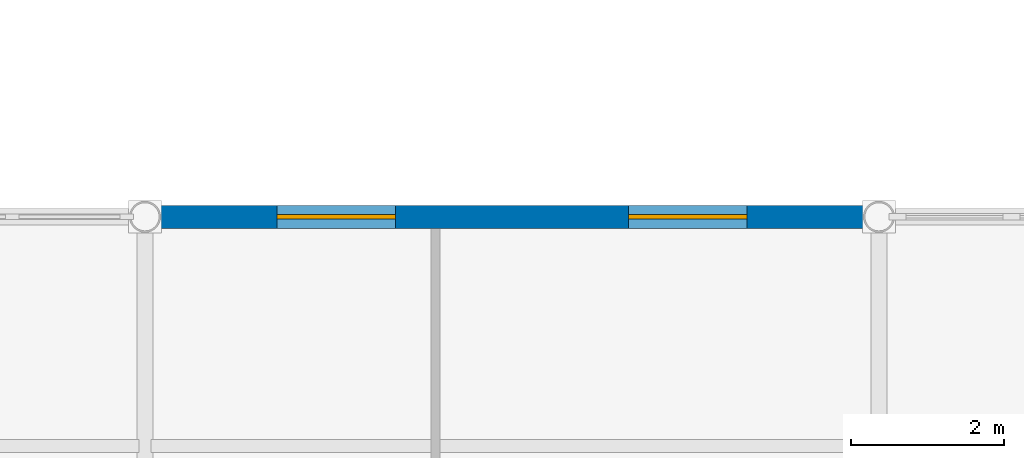
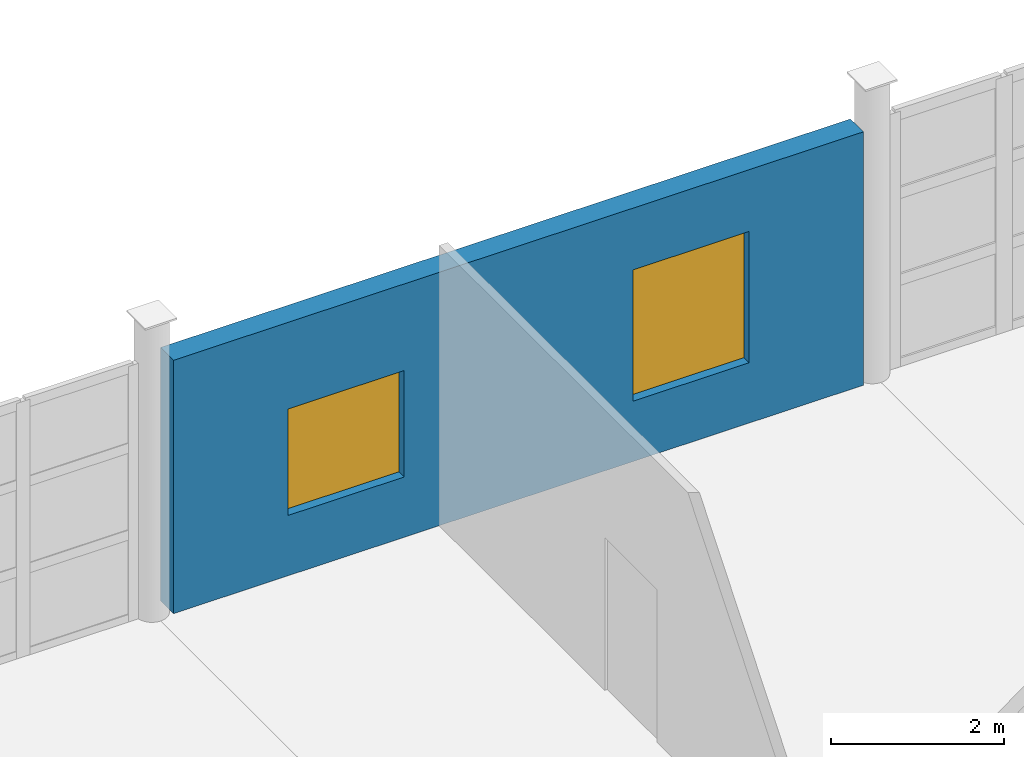
# One storey, part 71 of 82: 2 windows, 1 wall, 2 openings.
"""IFC4 building model written with IfcOpenShell, lengths in metres."""

from ifc_helpers import new_model, si_unit, direction, frame, frame_2d, origin, place, context, subcontext, project, spatial, rectangle, extrude, material, layer, layer_set, type_object, element, fill, save


model = new_model("IFC4")

# Units and contexts
model_context = context("Model", 3, precision=1e-05, world=origin(), true_north=direction((0.0, 1.0)))
body_context = subcontext(model_context, "Body", "Model", "MODEL_VIEW")
ifc_project = project(units=[si_unit("LENGTHUNIT", "METRE"), si_unit("AREAUNIT", "SQUARE_METRE"), si_unit("VOLUMEUNIT", "CUBIC_METRE"), si_unit("PLANEANGLEUNIT", "RADIAN"), si_unit("MASSUNIT", "GRAM", prefix="KILO")], contexts=[model_context])

# Site, building, storey
site_placement = place(None, origin())
site = spatial("IfcSite", under=ifc_project, at=site_placement, CompositionType="ELEMENT")
building_placement = place(site_placement, origin())
building = spatial("IfcBuilding", under=site, at=building_placement, Name="Zarnetskaya Central Station", CompositionType="ELEMENT")
storey_placement = place(building_placement, frame((0.0, 0.0, 10.199951171875)))
storey = spatial("IfcBuildingStorey", under=building, at=storey_placement, Name="L02", CompositionType="ELEMENT", Elevation=10.199951171875)

# Wall, openings, windows
ifc_material_1 = material(Name="Precast concrete C40/50", Category="concrete")
ifc_layer = layer(ifc_material_1, 0.300048828125, Name="Precast concrete C40/50", Category="concrete")
ifc_layer_set = layer_set([ifc_layer], Name="Precast concrete C40/50")
wall_type = type_object("IfcWallType", Name="WALL-EXT-300", PredefinedType="SOLIDWALL", material=ifc_layer_set)
wall_placement = place(storey_placement, frame((9.80322265625, 67.199951171875, 0.0), z_axis=(0.0, 0.0, 1.0), x_axis=(1.0, 0.0, 0.0)))
wall = element("IfcWall", 1, at=wall_placement, inside=storey, type_object=wall_type, Name="Exterior precast wall EW-L02-98-672-190-672", PredefinedType="SOLIDWALL", context=body_context, shape_type="SweptSolid", body=[
    extrude(rectangle(XDim=9.193603515625, YDim=0.300048828125, at=frame_2d((4.5966796875, 0.0))), origin(), (0.0, 0.0, 1.0), 3.570068359375),
])
opening_1_placement = place(wall_placement, frame((1.5234375, 0.0, 0.85009765625)))
opening_1 = element("IfcOpeningElement", 2, at=opening_1_placement, cuts=wall, Name="Opening WN-54", PredefinedType="OPENING", context=body_context, shape_type="SweptSolid", body=[
    extrude(rectangle(XDim=1.550048828125, YDim=1.5, at=frame_2d((0.77490234375, 0.75))), frame((0.0, 0.16015625, 0.0), z_axis=(0.0, -1.0, 0.0), x_axis=(1.0, 0.0, 0.0)), (0.0, 0.0, 1.0), 0.320068359375),
])
opening_2_placement = place(wall_placement, frame((6.1201171875, 0.0, 0.85009765625)))
opening_2 = element("IfcOpeningElement", 3, at=opening_2_placement, cuts=wall, Name="Opening WN-23", PredefinedType="OPENING", context=body_context, shape_type="SweptSolid", body=[
    extrude(rectangle(XDim=1.550048828125, YDim=1.85009765625, at=frame_2d((0.77490234375, 0.925048828125))), frame((0.0, 0.16015625, 0.0), z_axis=(0.0, -1.0, 0.0), x_axis=(1.0, 0.0, 0.0)), (0.0, 0.0, 1.0), 0.320068359375),
])
ifc_material_2 = material(Name="Low-E insulated glass", Category="glass")
window_type_1 = type_object("IfcWindowType", Name="WIN-13", PartitioningType="SINGLE_PANEL", PredefinedType="WINDOW", material=ifc_material_2)
window_1_placement = place(opening_1_placement, origin())
window_1 = element("IfcWindow", 4, at=window_1_placement, inside=storey, type_object=window_type_1, Name="Facade window L02-0067", OverallHeight=1.5, OverallWidth=1.550048828125, PartitioningType="SINGLE_PANEL", PredefinedType="WINDOW", context=body_context, shape_type="SweptSolid", body=[
    extrude(rectangle(XDim=1.550048828125, YDim=1.5, at=frame_2d((0.77490234375, 0.75))), frame((0.0, 0.030029296875, 0.0), z_axis=(0.0, -1.0, 0.0), x_axis=(1.0, 0.0, 0.0)), (0.0, 0.0, 1.0), 0.06005859375),
])
fill(opening_1, window_1)
window_type_2 = type_object("IfcWindowType", Name="WIN-14", PartitioningType="SINGLE_PANEL", PredefinedType="WINDOW", material=ifc_material_2)
window_2_placement = place(opening_2_placement, origin())
window_2 = element("IfcWindow", 5, at=window_2_placement, inside=storey, type_object=window_type_2, Name="Facade window L02-0068", OverallHeight=1.85009765625, OverallWidth=1.550048828125, PartitioningType="SINGLE_PANEL", PredefinedType="WINDOW", context=body_context, shape_type="SweptSolid", body=[
    extrude(rectangle(XDim=1.550048828125, YDim=1.85009765625, at=frame_2d((0.77490234375, 0.925048828125))), frame((0.0, 0.030029296875, 0.0), z_axis=(0.0, -1.0, 0.0), x_axis=(1.0, 0.0, 0.0)), (0.0, 0.0, 1.0), 0.06005859375),
])
fill(opening_2, window_2)

save(model, "model.ifc")
